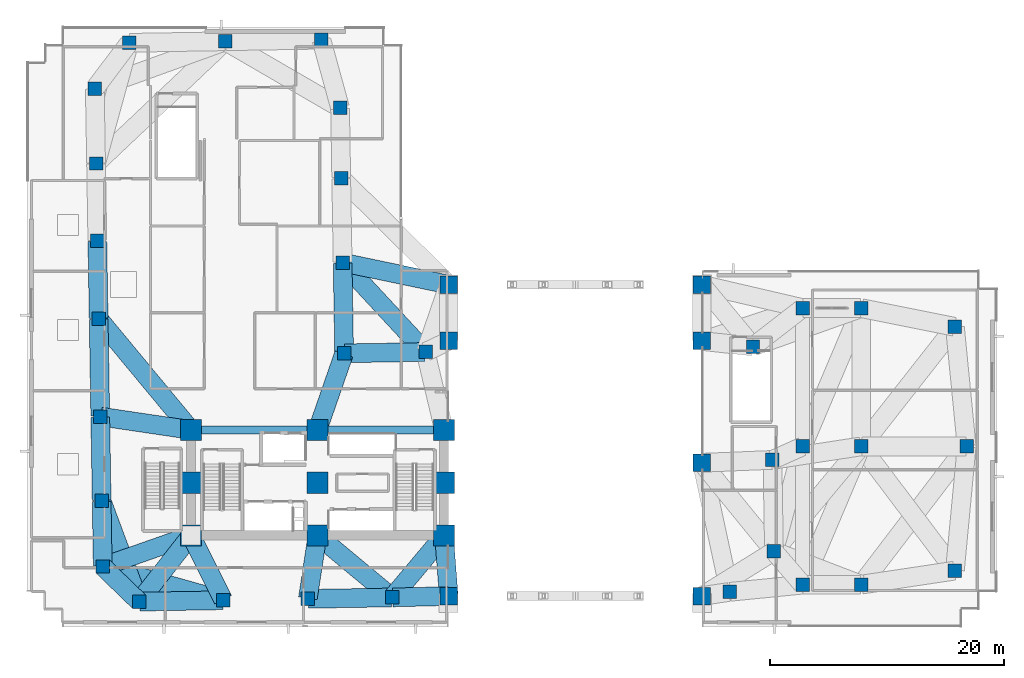
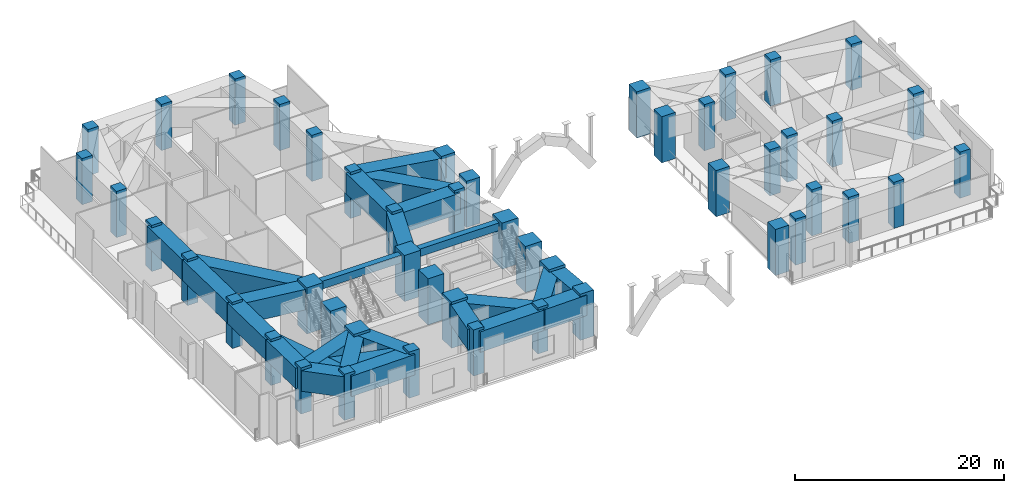
# One storey, part 1 of 15: 48 columns, 26 beams.
"""IFC4 building model written with IfcOpenShell, lengths in metres."""

from ifc_helpers import new_model, si_unit, direction, frame, origin, origin_2d, place, context, subcontext, project, spatial, rectangle, extrude, material, material_profile, profile_set, type_object, element, save


model = new_model("IFC4")

# Units and contexts
model_context = context("Model", 3, precision=1e-05, world=origin(), true_north=direction((0.0, 1.0)))
body_context = subcontext(model_context, "Body", "Model", "MODEL_VIEW")
ifc_project = project(units=[si_unit("LENGTHUNIT", "METRE"), si_unit("AREAUNIT", "SQUARE_METRE"), si_unit("VOLUMEUNIT", "CUBIC_METRE"), si_unit("PLANEANGLEUNIT", "RADIAN"), si_unit("MASSUNIT", "GRAM", prefix="KILO")], contexts=[model_context])

# Site, building, storey
site_placement = place(None, origin())
site = spatial("IfcSite", under=ifc_project, at=site_placement, CompositionType="ELEMENT")
building_placement = place(site_placement, origin())
building = spatial("IfcBuilding", under=site, at=building_placement, Name="Gaonmaruhae Medical Tower", CompositionType="ELEMENT")
storey_placement = place(building_placement, frame((0.0, 0.0, 21.60009765625)))
storey = spatial("IfcBuildingStorey", under=building, at=storey_placement, Name="L04", CompositionType="ELEMENT", Elevation=21.60009765625)

# Columns
ifc_material_1 = material(Name="Concrete C60/75", Category="concrete")
ifc_material_profile_1 = material_profile(ifc_material_1, rectangle(XDim=1.800048828125, YDim=1.800048828125, at=origin_2d()), Name="RC-1800x1800")
ifc_profile_set_1 = profile_set([ifc_material_profile_1], Name="Concrete C60/75")
column_type_1 = type_object("IfcColumnType", Name="CC-01 Lower Core Mega Column (RC-1800x1800)", PredefinedType="COLUMN", material=ifc_profile_set_1)
for number, where, z_axis, x_axis, name in (
    (1, (14.0, 7.800048828125, 0.0), (0.0, 0.0, 1.0), (1.0, 0.0, 0.0), "L04 Plumb Core Column CC11"),
    (2, (14.0, 12.300048828125, 0.0), (0.0, 0.0, 1.0), (1.0, 0.0, 0.0), "L04 Plumb Core Column CC12"),
    (3, (14.0, 16.800048828125, 0.0), (0.0, 0.0, 1.0), (1.0, 0.0, 0.0), "L04 Plumb Core Column CC13"),
    (4, (24.800048828125, 7.800048828125, 0.0), (0.0, 0.0, 1.0), (1.0, 0.0, 0.0), "L04 Plumb Core Column CC21"),
    (5, (24.800048828125, 12.300048828125, 0.0), (0.0, 0.0, 1.0), (1.0, 0.0, 0.0), "L04 Plumb Core Column CC22"),
    (6, (24.800048828125, 16.800048828125, 0.0), (0.0, 0.0, 1.0), (1.0, 0.0, 0.0), "L04 Plumb Core Column CC23"),
    (7, (35.60009765625, 7.800048828125, 0.0), (0.0, 0.0, 1.0), (1.0, 0.0, 0.0), "L04 Plumb Core Column CC31"),
    (8, (35.60009765625, 12.300048828125, 0.0), (0.0, 0.0, 1.0), (1.0, 0.0, 0.0), "L04 Plumb Core Column CC32"),
    (9, (35.60009765625, 16.800048828125, 0.0), (0.0, 0.0, 1.0), (1.0, 0.0, 0.0), "L04 Plumb Core Column CC33"),
):
    element("IfcColumn", number, at=place(storey_placement, frame(where, z_axis=z_axis, x_axis=x_axis)), inside=storey, type_object=column_type_1, Name=name, PredefinedType="COLUMN", context=body_context, shape_type="SweptSolid", body=[
        extrude(rectangle(XDim=1.800048828125, YDim=1.800048828125, at=origin_2d()), origin(), (0.0, 0.0, 1.0), 5.39990234375),
    ])
ifc_material_profile_2 = material_profile(ifc_material_1, rectangle(XDim=1.5, YDim=1.5, at=origin_2d()), Name="RC-1500x1500")
ifc_profile_set_2 = profile_set([ifc_material_profile_2], Name="Concrete C60/75")
column_type_2 = type_object("IfcColumnType", Name="PC-C1 Portal Arch Exterior Spring Pier (RC-1500x1500)", PredefinedType="PILASTER", material=ifc_profile_set_2)
for number, where, z_axis, x_axis, name in (
    (10, (36.0, 29.199951171875, 0.0), (0.0, 0.0, 1.0), (1.0, 0.0, 0.0), "L04 Podium Column AP-W4"),
    (11, (57.60009765625, 29.199951171875, 0.0), (0.0, 0.0, 1.0), (1.0, 0.0, 0.0), "L04 Podium Column AP-E4"),
):
    element("IfcColumn", number, at=place(storey_placement, frame(where, z_axis=z_axis, x_axis=x_axis)), inside=storey, type_object=column_type_2, Name=name, PredefinedType="PILASTER", context=body_context, shape_type="SweptSolid", body=[
        extrude(rectangle(XDim=1.5, YDim=1.5, at=origin_2d()), origin(), (0.0, 0.0, 1.0), 5.39990234375),
    ])
ifc_material_profile_3 = material_profile(ifc_material_1, rectangle(XDim=1.5, YDim=1.5, at=origin_2d()), Name="RC-1500x1500")
ifc_profile_set_3 = profile_set([ifc_material_profile_3], Name="Concrete C60/75")
column_type_3 = type_object("IfcColumnType", Name="PC-C1I Portal Arch Interior Spring Pier (RC-1500x1500)", PredefinedType="PILASTER", material=ifc_profile_set_3)
for number, where, z_axis, x_axis, name in (
    (12, (36.0, 2.6259765625, 0.0), (0.0, 0.0, 1.0), (1.0, 0.0, 0.0), "L04 Podium Column AP-W1"),
    (13, (57.60009765625, 2.6259765625, 0.0), (0.0, 0.0, 1.0), (1.0, 0.0, 0.0), "L04 Podium Column AP-E1"),
    (14, (57.60009765625, 14.0, 0.0), (0.0, 0.0, 1.0), (1.0, 0.0, 0.0), "L04 Podium Column AP-E2"),
    (15, (36.0, 24.39990234375, 0.0), (0.0, 0.0, 1.0), (1.0, 0.0, 0.0), "L04 Podium Column AP-W3"),
    (16, (57.60009765625, 24.39990234375, 0.0), (0.0, 0.0, 1.0), (1.0, 0.0, 0.0), "L04 Podium Column AP-E3"),
):
    element("IfcColumn", number, at=place(storey_placement, frame(where, z_axis=z_axis, x_axis=x_axis)), inside=storey, type_object=column_type_3, Name=name, PredefinedType="PILASTER", context=body_context, shape_type="SweptSolid", body=[
        extrude(rectangle(XDim=1.5, YDim=1.5, at=origin_2d()), origin(), (0.0, 0.0, 1.0), 5.39990234375),
    ])
ifc_material_2 = material(Name="Concrete C50/60", Category="concrete")
ifc_material_profile_4 = material_profile(ifc_material_2, rectangle(XDim=1.14990234375, YDim=1.14990234375, at=origin_2d()), Name="RC-1150x1150")
ifc_profile_set_4 = profile_set([ifc_material_profile_4], Name="Concrete C50/60")
column_type_4 = type_object("IfcColumnType", Name="PC-C2 Podium Perimeter Column (RC-1150x1150)", PredefinedType="COLUMN", material=ifc_profile_set_4)
for number, where, z_axis, x_axis, name in (
    (17, (9.572265625, 2.1484375, 0.0), (0.0, 0.0, 1.0), (1.0, 0.0, 0.0), "L04 Podium Column PL5-S01"),
    (18, (25.129150390625, 50.113037109375, 0.0), (0.0, 0.0, 1.0), (1.0, 0.0, 0.0), "L04 Podium Column PL5-N01"),
    (19, (16.930419921875, 49.97705078125, 0.0), (0.0, 0.0, 1.0), (1.0, 0.0, 0.0), "L04 Podium Column PL5-N02"),
    (20, (8.7314453125, 49.841064453125, 0.0), (0.0, 0.0, 1.0), (1.0, 0.0, 0.0), "L04 Podium Column PL5-N03"),
    (21, (66.199951171875, 3.60009765625, 0.0), (0.0, 0.0, 1.0), (1.0, 0.0, 0.0), "L04 Podium Column PE-01"),
    (22, (66.199951171875, 27.199951171875, 0.0), (0.0, 0.0, 1.0), (1.0, 0.0, 0.0), "L04 Podium Column PE-05"),
    (23, (79.199951171875, 4.800048828125, 0.0), (0.0, 0.0, 1.0), (1.0, 0.0, 0.0), "L04 Podium Column PE-07"),
    (24, (80.199951171875, 15.39990234375, 0.0), (0.0, 0.0, 1.0), (1.0, 0.0, 0.0), "L04 Podium Column PE-08"),
    (25, (79.199951171875, 25.60009765625, 0.0), (0.0, 0.0, 1.0), (1.0, 0.0, 0.0), "L04 Podium Column PE-09"),
):
    element("IfcColumn", number, at=place(storey_placement, frame(where, z_axis=z_axis, x_axis=x_axis)), inside=storey, type_object=column_type_4, Name=name, PredefinedType="COLUMN", context=body_context, shape_type="SweptSolid", body=[
        extrude(rectangle(XDim=1.14990234375, YDim=1.14990234375, at=origin_2d()), origin(), (0.0, 0.0, 1.0), 5.39990234375),
    ])
ifc_material_profile_5 = material_profile(ifc_material_2, rectangle(XDim=1.14990234375, YDim=1.14990234375, at=origin_2d()), Name="RC-1150x1150")
ifc_profile_set_5 = profile_set([ifc_material_profile_5], Name="Concrete C50/60")
column_type_5 = type_object("IfcColumnType", Name="PC-C2I Podium Interior Column (RC-1150x1150)", PredefinedType="COLUMN", material=ifc_profile_set_5)
for number, where, z_axis, x_axis, name in (
    (26, (16.771240234375, 2.267822265625, 0.0), (0.0, 0.0, 1.0), (1.0, 0.0, 0.0), "L04 Podium Column PL5-S02"),
    (27, (23.97021484375, 2.38720703125, 0.0), (0.0, 0.0, 1.0), (1.0, 0.0, 0.0), "L04 Podium Column PL5-S03"),
    (28, (31.169189453125, 2.506591796875, 0.0), (0.0, 0.0, 1.0), (1.0, 0.0, 0.0), "L04 Podium Column PL5-S04"),
    (29, (59.96533203125, 2.984130859375, 0.0), (0.0, 0.0, 1.0), (1.0, 0.0, 0.0), "L04 Podium Column PL5-S08"),
    (30, (63.75830078125, 6.447509765625, 0.0), (0.0, 0.0, 1.0), (1.0, 0.0, 0.0), "L04 Podium Column PL5-E01"),
    (31, (63.629150390625, 14.246337890625, 0.0), (0.0, 0.0, 1.0), (1.0, 0.0, 0.0), "L04 Podium Column PL5-E02"),
    (32, (61.968505859375, 23.920166015625, 0.0), (0.0, 0.0, 1.0), (1.0, 0.0, 0.0), "L04 Podium Column PL5-E03"),
    (33, (34.022216796875, 23.456787109375, 0.0), (0.0, 0.0, 1.0), (1.0, 0.0, 0.0), "L04 Podium Column PL5-EN04"),
    (34, (27.0732421875, 23.341552734375, 0.0), (0.0, 0.0, 1.0), (1.0, 0.0, 0.0), "L04 Podium Column PL5-KN01"),
    (35, (26.94482421875, 31.090576171875, 0.0), (0.0, 0.0, 1.0), (1.0, 0.0, 0.0), "L04 Podium Column PL5-NE01"),
    (36, (26.825439453125, 38.28955078125, 0.0), (0.0, 0.0, 1.0), (1.0, 0.0, 0.0), "L04 Podium Column PL5-NE02"),
    (37, (26.725830078125, 44.288818359375, 0.0), (0.0, 0.0, 1.0), (1.0, 0.0, 0.0), "L04 Podium Column PL5-NE03"),
    (38, (5.795654296875, 45.94189453125, 0.0), (0.0, 0.0, 1.0), (1.0, 0.0, 0.0), "L04 Podium Column PL5-W01"),
    (39, (5.90185546875, 39.542724609375, 0.0), (0.0, 0.0, 1.0), (1.0, 0.0, 0.0), "L04 Podium Column PL5-W02"),
    (40, (6.01123046875, 32.943603515625, 0.0), (0.0, 0.0, 1.0), (1.0, 0.0, 0.0), "L04 Podium Column PL5-W03"),
    (41, (6.121337890625, 26.294677734375, 0.0), (0.0, 0.0, 1.0), (1.0, 0.0, 0.0), "L04 Podium Column PL5-W04"),
    (42, (6.260009765625, 17.94580078125, 0.0), (0.0, 0.0, 1.0), (1.0, 0.0, 0.0), "L04 Podium Column PL5-W05"),
    (43, (6.37939453125, 10.746826171875, 0.0), (0.0, 0.0, 1.0), (1.0, 0.0, 0.0), "L04 Podium Column PL5-W06"),
    (44, (6.47216796875, 5.1474609375, 0.0), (0.0, 0.0, 1.0), (1.0, 0.0, 0.0), "L04 Podium Column PL5-W07"),
    (45, (71.199951171875, 3.60009765625, 0.0), (0.0, 0.0, 1.0), (1.0, 0.0, 0.0), "L04 Podium Column PE-02"),
    (46, (66.199951171875, 15.39990234375, 0.0), (0.0, 0.0, 1.0), (1.0, 0.0, 0.0), "L04 Podium Column PE-03"),
    (47, (71.199951171875, 15.39990234375, 0.0), (0.0, 0.0, 1.0), (1.0, 0.0, 0.0), "L04 Podium Column PE-04"),
    (48, (71.199951171875, 27.199951171875, 0.0), (0.0, 0.0, 1.0), (1.0, 0.0, 0.0), "L04 Podium Column PE-06"),
):
    element("IfcColumn", number, at=place(storey_placement, frame(where, z_axis=z_axis, x_axis=x_axis)), inside=storey, type_object=column_type_5, Name=name, PredefinedType="COLUMN", context=body_context, shape_type="SweptSolid", body=[
        extrude(rectangle(XDim=1.14990234375, YDim=1.14990234375, at=origin_2d()), origin(), (0.0, 0.0, 1.0), 5.39990234375),
    ])

# Beams
ifc_material_profile_6 = material_profile(ifc_material_2, rectangle(XDim=0.64990234375, YDim=0.89990234375, at=origin_2d()), Name="RCG-650x900")
ifc_profile_set_6 = profile_set([ifc_material_profile_6], Name="Concrete C50/60")
beam_type_1 = type_object("IfcBeamType", Name="RG-01 Podium Primary RC Girder (RCG-650x900)", PredefinedType="BEAM", material=ifc_profile_set_6)
for number, where, z_axis, x_axis, name in (
    (49, (14.050048828125, 16.800048828125, 4.64990234375), (1.0, 0.0, 0.0), (0.0, 1.0, 0.0), "L04 Beam BM-L04-CG-N1"),
    (50, (24.85009765625, 16.800048828125, 4.64990234375), (1.0, 0.0, 0.0), (0.0, 1.0, 0.0), "L04 Beam BM-L04-CG-N2"),
):
    element("IfcBeam", number, at=place(storey_placement, frame(where, z_axis=z_axis, x_axis=x_axis)), inside=storey, type_object=beam_type_1, Name=name, PredefinedType="BEAM", context=body_context, shape_type="SweptSolid", body=[
        extrude(rectangle(XDim=0.64990234375, YDim=0.89990234375, at=origin_2d()), origin(), (0.0, 0.0, 1.0), 10.699951171875),
    ])
ifc_material_profile_7 = material_profile(ifc_material_1, rectangle(XDim=1.60009765625, YDim=2.39990234375, at=origin_2d()), Name="TG-1600x2400")
ifc_profile_set_7 = profile_set([ifc_material_profile_7], Name="Concrete C60/75")
beam_type_2 = type_object("IfcBeamType", Name="TG-01I Portal Arch Interior Transfer Girder (TG-1600x2400)", PredefinedType="BEAM", material=ifc_profile_set_7)
beam_1_placement = place(storey_placement, frame((35.949951171875, 2.624755859375, 3.89990234375), z_axis=(-0.999694600046, -0.024712479405, 0.0), x_axis=(0.024712479405, -0.999694600046, 0.0)))
element("IfcBeam", 51, at=beam_1_placement, inside=storey, type_object=beam_type_2, Name="L04 Beam BM-L04-PG001", PredefinedType="BEAM", context=body_context, shape_type="SweptSolid", body=[
    extrude(rectangle(XDim=1.60009765625, YDim=2.39990234375, at=origin_2d()), origin(), (0.0, 0.0, 1.0), 4.732177734375),
])
beam_2_placement = place(storey_placement, frame((35.99609375, 2.67578125, 3.89990234375), z_axis=(-0.077085319769, 0.997024499938, 0.0), x_axis=(-0.997024499938, -0.077085319769, 0.0)))
element("IfcBeam", 52, at=beam_2_placement, inside=storey, type_object=beam_type_2, Name="L04 Beam BM-L04-PG002", PredefinedType="BEAM", context=body_context, shape_type="SweptSolid", body=[
    extrude(rectangle(XDim=1.60009765625, YDim=2.39990234375, at=origin_2d()), origin(), (0.0, 0.0, 1.0), 5.089599609375),
])
beam_3_placement = place(storey_placement, frame((35.951171875, 29.210205078125, 3.89990234375), z_axis=(-0.978893765429, 0.204369753153, 0.0), x_axis=(-0.204369753153, -0.978893765429, 0.0)))
element("IfcBeam", 53, at=beam_3_placement, inside=storey, type_object=beam_type_2, Name="L04 Beam BM-L04-PG012", PredefinedType="BEAM", context=body_context, shape_type="SweptSolid", body=[
    extrude(rectangle(XDim=1.60009765625, YDim=2.39990234375, at=origin_2d()), origin(), (0.0, 0.0, 1.0), 9.150634765625),
])
beam_4_placement = place(storey_placement, frame((9.536376953125, 2.183349609375, 3.89990234375), z_axis=(-0.71874317397, 0.695275664662, 0.0), x_axis=(-0.695275664662, -0.71874317397, 0.0)))
element("IfcBeam", 54, at=beam_4_placement, inside=storey, type_object=beam_type_2, Name="L04 Beam BM-L04-PG015", PredefinedType="BEAM", context=body_context, shape_type="SweptSolid", body=[
    extrude(rectangle(XDim=1.60009765625, YDim=2.39990234375, at=origin_2d()), origin(), (0.0, 0.0, 1.0), 4.21337890625),
])
beam_5_placement = place(storey_placement, frame((9.60302734375, 2.187744140625, 3.89990234375), z_axis=(0.616722881004, 0.787180340231, 0.0), x_axis=(-0.787180340231, 0.616722881004, 0.0)))
element("IfcBeam", 55, at=beam_5_placement, inside=storey, type_object=beam_type_2, Name="L04 Beam BM-L04-PG016", PredefinedType="BEAM", context=body_context, shape_type="SweptSolid", body=[
    extrude(rectangle(XDim=1.60009765625, YDim=2.39990234375, at=origin_2d()), origin(), (0.0, 0.0, 1.0), 7.07958984375),
])
beam_6_placement = place(storey_placement, frame((16.7490234375, 2.3125, 3.89990234375), z_axis=(-0.447887224471, 0.894090059309, 0.0), x_axis=(-0.894090059309, -0.447887224471, 0.0)))
element("IfcBeam", 56, at=beam_6_placement, inside=storey, type_object=beam_type_2, Name="L04 Beam BM-L04-PG017", PredefinedType="BEAM", context=body_context, shape_type="SweptSolid", body=[
    extrude(rectangle(XDim=1.60009765625, YDim=2.39990234375, at=origin_2d()), origin(), (0.0, 0.0, 1.0), 6.087646484375),
])
beam_7_placement = place(storey_placement, frame((16.72119140625, 2.26708984375, 3.89990234375), z_axis=(-0.99986263522, -0.016574398672, 0.0), x_axis=(0.016574398672, -0.99986263522, 0.0)))
element("IfcBeam", 57, at=beam_7_placement, inside=storey, type_object=beam_type_2, Name="L04 Beam BM-L04-PG018", PredefinedType="BEAM", context=body_context, shape_type="SweptSolid", body=[
    extrude(rectangle(XDim=1.60009765625, YDim=2.39990234375, at=origin_2d()), origin(), (0.0, 0.0, 1.0), 7.099853515625),
])
beam_8_placement = place(storey_placement, frame((23.977783203125, 2.436767578125, 3.89990234375), z_axis=(0.15154867759, 0.988449795549, 0.0), x_axis=(-0.988449795549, 0.15154867759, 0.0)))
element("IfcBeam", 58, at=beam_8_placement, inside=storey, type_object=beam_type_2, Name="L04 Beam BM-L04-PG019", PredefinedType="BEAM", context=body_context, shape_type="SweptSolid", body=[
    extrude(rectangle(XDim=1.60009765625, YDim=2.39990234375, at=origin_2d()), origin(), (0.0, 0.0, 1.0), 5.375732421875),
])
beam_9_placement = place(storey_placement, frame((24.020263671875, 2.38818359375, 3.89990234375), z_axis=(0.999862644666, 0.01657382883, 0.0), x_axis=(-0.01657382883, 0.999862644666, 0.0)))
element("IfcBeam", 59, at=beam_9_placement, inside=storey, type_object=beam_type_2, Name="L04 Beam BM-L04-PG020", PredefinedType="BEAM", context=body_context, shape_type="SweptSolid", body=[
    extrude(rectangle(XDim=1.60009765625, YDim=2.39990234375, at=origin_2d()), origin(), (0.0, 0.0, 1.0), 7.10009765625),
])
beam_10_placement = place(storey_placement, frame((31.201416015625, 2.544921875, 3.89990234375), z_axis=(0.641841952808, 0.766836949824, 0.0), x_axis=(-0.766836949824, 0.641841952808, 0.0)))
element("IfcBeam", 60, at=beam_10_placement, inside=storey, type_object=beam_type_2, Name="L04 Beam BM-L04-PG021", PredefinedType="BEAM", context=body_context, shape_type="SweptSolid", body=[
    extrude(rectangle(XDim=1.60009765625, YDim=2.39990234375, at=origin_2d()), origin(), (0.0, 0.0, 1.0), 6.802978515625),
])
beam_11_placement = place(storey_placement, frame((31.130859375, 2.53857421875, 3.89990234375), z_axis=(-0.769076636627, 0.639156574709, 0.0), x_axis=(-0.639156574709, -0.769076636627, 0.0)))
element("IfcBeam", 61, at=beam_11_placement, inside=storey, type_object=beam_type_2, Name="L04 Beam BM-L04-PG022", PredefinedType="BEAM", context=body_context, shape_type="SweptSolid", body=[
    extrude(rectangle(XDim=1.60009765625, YDim=2.39990234375, at=origin_2d()), origin(), (0.0, 0.0, 1.0), 8.181884765625),
])
beam_12_placement = place(storey_placement, frame((33.972412109375, 23.4560546875, 3.89990234375), z_axis=(-0.999862660061, -0.016572900012, 0.0), x_axis=(0.016572900012, -0.999862660061, 0.0)))
element("IfcBeam", 62, at=beam_12_placement, inside=storey, type_object=beam_type_2, Name="L04 Beam BM-L04-PG032", PredefinedType="BEAM", context=body_context, shape_type="SweptSolid", body=[
    extrude(rectangle(XDim=1.60009765625, YDim=2.39990234375, at=origin_2d()), origin(), (0.0, 0.0, 1.0), 6.85009765625),
])
beam_13_placement = place(storey_placement, frame((27.056884765625, 23.29443359375, 3.89990234375), z_axis=(-0.328252856343, -0.944589891065, 0.0), x_axis=(0.944589891065, -0.328252856343, 0.0)))
element("IfcBeam", 63, at=beam_13_placement, inside=storey, type_object=beam_type_2, Name="L04 Beam BM-L04-PG033", PredefinedType="BEAM", context=body_context, shape_type="SweptSolid", body=[
    extrude(rectangle(XDim=1.60009765625, YDim=2.39990234375, at=origin_2d()), origin(), (0.0, 0.0, 1.0), 6.825439453125),
])
beam_14_placement = place(storey_placement, frame((27.072509765625, 23.3916015625, 3.89990234375), z_axis=(-0.016595224727, 0.999862289776, 0.0), x_axis=(-0.999862289776, -0.016595224727, 0.0)))
element("IfcBeam", 64, at=beam_14_placement, inside=storey, type_object=beam_type_2, Name="L04 Beam BM-L04-PG034", PredefinedType="BEAM", context=body_context, shape_type="SweptSolid", body=[
    extrude(rectangle(XDim=1.60009765625, YDim=2.39990234375, at=origin_2d()), origin(), (0.0, 0.0, 1.0), 7.64990234375),
])
beam_15_placement = place(storey_placement, frame((26.978759765625, 31.053955078125, 3.89990234375), z_axis=(0.679878677461, -0.733324610206, 0.0), x_axis=(0.733324610206, 0.679878677461, 0.0)))
element("IfcBeam", 65, at=beam_15_placement, inside=storey, type_object=beam_type_2, Name="L04 Beam BM-L04-PG036", PredefinedType="BEAM", context=body_context, shape_type="SweptSolid", body=[
    extrude(rectangle(XDim=1.60009765625, YDim=2.39990234375, at=origin_2d()), origin(), (0.0, 0.0, 1.0), 10.31005859375),
])
beam_16_placement = place(storey_placement, frame((6.011962890625, 32.893798828125, 3.89990234375), z_axis=(0.016586102524, -0.99986244114, 0.0), x_axis=(0.99986244114, 0.016586102524, 0.0)))
element("IfcBeam", 66, at=beam_16_placement, inside=storey, type_object=beam_type_2, Name="L04 Beam BM-L04-PG049", PredefinedType="BEAM", context=body_context, shape_type="SweptSolid", body=[
    extrude(rectangle(XDim=1.60009765625, YDim=2.39990234375, at=origin_2d()), origin(), (0.0, 0.0, 1.0), 6.55029296875),
])
beam_17_placement = place(storey_placement, frame((6.122314453125, 26.24462890625, 3.89990234375), z_axis=(0.016572145992, -0.999862672559, 0.0), x_axis=(0.999862672559, 0.016572145992, 0.0)))
element("IfcBeam", 67, at=beam_17_placement, inside=storey, type_object=beam_type_2, Name="L04 Beam BM-L04-PG050", PredefinedType="BEAM", context=body_context, shape_type="SweptSolid", body=[
    extrude(rectangle(XDim=1.60009765625, YDim=2.39990234375, at=origin_2d()), origin(), (0.0, 0.0, 1.0), 8.25),
])
beam_18_placement = place(storey_placement, frame((6.1533203125, 26.256103515625, 3.89990234375), z_axis=(0.638571966842, -0.76956211131, 0.0), x_axis=(0.76956211131, 0.638571966842, 0.0)))
element("IfcBeam", 68, at=beam_18_placement, inside=storey, type_object=beam_type_2, Name="L04 Beam BM-L04-PG051", PredefinedType="BEAM", context=body_context, shape_type="SweptSolid", body=[
    extrude(rectangle(XDim=1.60009765625, YDim=2.39990234375, at=origin_2d()), origin(), (0.0, 0.0, 1.0), 12.23779296875),
])
beam_19_placement = place(storey_placement, frame((6.2607421875, 17.895751953125, 3.89990234375), z_axis=(0.016574398672, -0.99986263522, 0.0), x_axis=(0.99986263522, 0.016574398672, 0.0)))
element("IfcBeam", 69, at=beam_19_placement, inside=storey, type_object=beam_type_2, Name="L04 Beam BM-L04-PG052", PredefinedType="BEAM", context=body_context, shape_type="SweptSolid", body=[
    extrude(rectangle(XDim=1.60009765625, YDim=2.39990234375, at=origin_2d()), origin(), (0.0, 0.0, 1.0), 7.099853515625),
])
beam_20_placement = place(storey_placement, frame((6.309326171875, 17.9384765625, 3.89990234375), z_axis=(0.989220595227, -0.146432967528, 0.0), x_axis=(0.146432967528, 0.989220595227, 0.0)))
element("IfcBeam", 70, at=beam_20_placement, inside=storey, type_object=beam_type_2, Name="L04 Beam BM-L04-PG053", PredefinedType="BEAM", context=body_context, shape_type="SweptSolid", body=[
    extrude(rectangle(XDim=1.60009765625, YDim=2.39990234375, at=origin_2d()), origin(), (0.0, 0.0, 1.0), 7.724365234375),
])
beam_21_placement = place(storey_placement, frame((6.380126953125, 10.69677734375, 3.89990234375), z_axis=(0.016557108537, -0.999862921683, 0.0), x_axis=(0.999862921683, 0.016557108537, 0.0)))
element("IfcBeam", 71, at=beam_21_placement, inside=storey, type_object=beam_type_2, Name="L04 Beam BM-L04-PG054", PredefinedType="BEAM", context=body_context, shape_type="SweptSolid", body=[
    extrude(rectangle(XDim=1.60009765625, YDim=2.39990234375, at=origin_2d()), origin(), (0.0, 0.0, 1.0), 5.5),
])
beam_22_placement = place(storey_placement, frame((6.396728515625, 10.699951171875, 3.89990234375), z_axis=(0.348122339765, -0.937449111449, 0.0), x_axis=(0.937449111449, 0.348122339765, 0.0)))
element("IfcBeam", 72, at=beam_22_placement, inside=storey, type_object=beam_type_2, Name="L04 Beam BM-L04-PG055", PredefinedType="BEAM", context=body_context, shape_type="SweptSolid", body=[
    extrude(rectangle(XDim=1.60009765625, YDim=2.39990234375, at=origin_2d()), origin(), (0.0, 0.0, 1.0), 9.072021484375),
])
beam_23_placement = place(storey_placement, frame((6.519287109375, 5.1640625, 3.89990234375), z_axis=(0.943158912801, 0.332342090628, 0.0), x_axis=(-0.332342090628, 0.943158912801, 0.0)))
element("IfcBeam", 73, at=beam_23_placement, inside=storey, type_object=beam_type_2, Name="L04 Beam BM-L04-PG056", PredefinedType="BEAM", context=body_context, shape_type="SweptSolid", body=[
    extrude(rectangle(XDim=1.60009765625, YDim=2.39990234375, at=origin_2d()), origin(), (0.0, 0.0, 1.0), 7.881591796875),
])
beam_24_placement = place(storey_placement, frame((6.520263671875, 5.134033203125, 3.89990234375), z_axis=(0.963062562171, -0.269277740159, 0.0), x_axis=(0.269277740159, 0.963062562171, 0.0)))
element("IfcBeam", 74, at=beam_24_placement, inside=storey, type_object=beam_type_2, Name="L04 Beam BM-L04-PG057", PredefinedType="BEAM", context=body_context, shape_type="SweptSolid", body=[
    extrude(rectangle(XDim=1.60009765625, YDim=2.39990234375, at=origin_2d()), origin(), (0.0, 0.0, 1.0), 10.59423828125),
])

save(model, "model.ifc")
